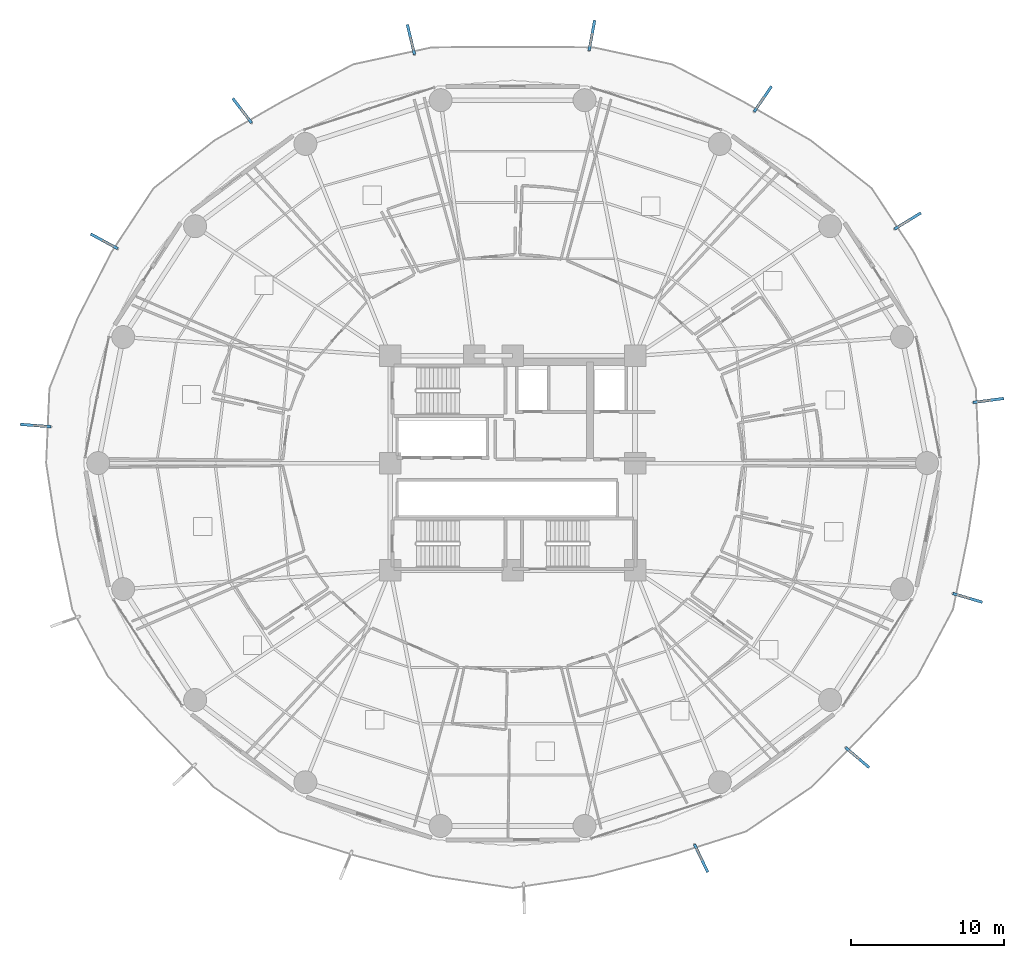
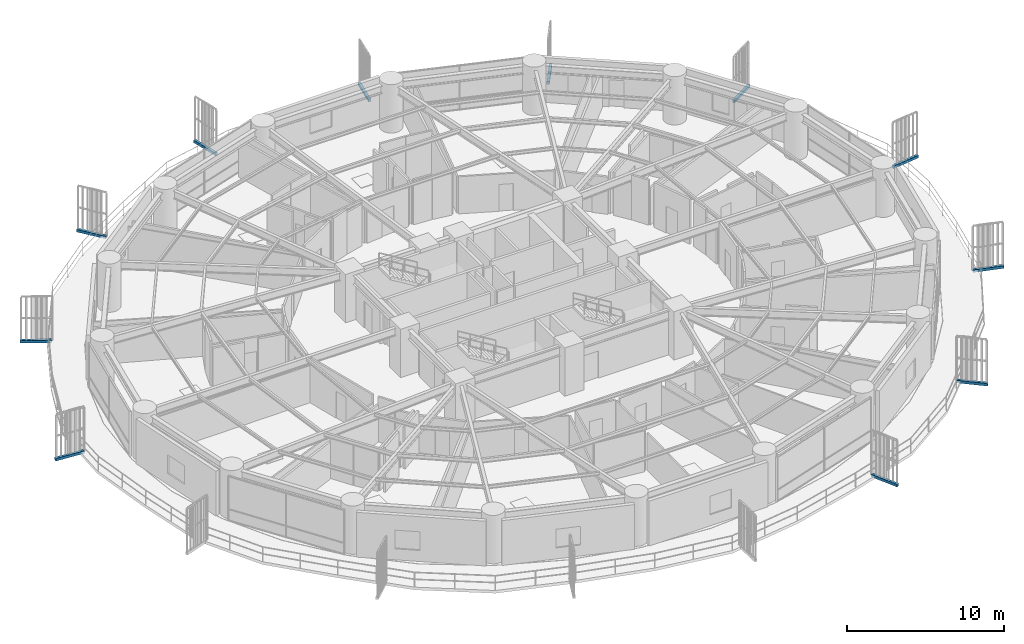
# One storey, part 29 of 34: 11 discrete accessories.
"""IFC4 building model written with IfcOpenShell, lengths in metres."""

from ifc_helpers import new_model, si_unit, direction, frame, origin, origin_2d, place, context, subcontext, project, spatial, rectangle, extrude, source, transform, mapped, material, type_object, element, save


model = new_model("IFC4")

# Units and contexts
model_context = context("Model", 3, precision=1e-05, world=origin(), true_north=direction((0.0, 1.0)))
body_context = subcontext(model_context, "Body", "Model", "MODEL_VIEW")
ifc_project = project(units=[si_unit("LENGTHUNIT", "METRE"), si_unit("AREAUNIT", "SQUARE_METRE"), si_unit("VOLUMEUNIT", "CUBIC_METRE"), si_unit("PLANEANGLEUNIT", "RADIAN"), si_unit("MASSUNIT", "GRAM", prefix="KILO")], contexts=[model_context])

# Site, building, storey
site_placement = place(None, origin())
site = spatial("IfcSite", under=ifc_project, at=site_placement, CompositionType="ELEMENT")
building_placement = place(site_placement, origin())
building = spatial("IfcBuilding", under=site, at=building_placement, Name="Kelanora Arch Commons", CompositionType="ELEMENT")
storey_placement = place(building_placement, frame((0.0, 0.0, 30.0)))
storey = spatial("IfcBuildingStorey", under=building, at=storey_placement, Name="L07", CompositionType="ELEMENT", Elevation=30.0)

# Discrete accessories
ifc_material = material(Name="Stainless steel 316 marine fin bracket", Category="steel")
discrete_accessory_type = type_object("IfcDiscreteAccessoryType", Name="ACC-FIN-BRK", PredefinedType="BRACKET", material=ifc_material)
shared_shape = source(origin(), body_context, "Body", "SweptSolid", [
    extrude(rectangle(XDim=2.014892578125, YDim=0.179931640625, at=origin_2d()), origin(), (0.0, 0.0, 1.0), 0.199951171875),
])
for number, where, z_axis, x_axis, name in (
    (1, (105.090087890625, 62.092529296875, -0.16015625), (0.0, 0.0, 1.0), (0.991444861374, 0.13052619222, 0.0), "Sweeping Fin Cantilever Spine Bracket L07-00"),
    (2, (99.813720703125, 73.818115234375, -0.16015625), (0.0, 0.0, 1.0), (0.852640164354, 0.522498564716, 0.0), "Sweeping Fin Cantilever Spine Bracket L07-01"),
    (3, (90.350830078125, 81.78955078125, -0.16015625), (0.0, 0.0, 1.0), (0.566406236925, 0.824126188622, 0.0), "Sweeping Fin Cantilever Spine Bracket L07-02"),
    (4, (79.179931640625, 85.945556640625, -0.16015625), (0.0, 0.0, 1.0), (0.182235525492, 0.983254907564, 0.0), "Sweeping Fin Cantilever Spine Bracket L07-03"),
    (5, (67.355712890625, 85.677001953125, -0.16015625), (0.0, 0.0, 1.0), (-0.233445363856, 0.972369920398, 0.0), "Sweeping Fin Cantilever Spine Bracket L07-04"),
    (6, (56.33056640625, 81.028076171875, -0.16015625), (0.0, 0.0, 1.0), (-0.608761429009, 0.793353340291, 0.0), "Sweeping Fin Cantilever Spine Bracket L07-05"),
    (7, (47.314208984375, 72.489990234375, -0.16015625), (0.0, 0.0, 1.0), (-0.878817112662, 0.47715876026, 0.0), "Sweeping Fin Cantilever Spine Bracket L07-06"),
    (8, (42.83544921875, 60.453369140625, -0.16015625), (0.0, 0.0, 1.0), (-0.996917333733, 0.078459095728, 0.0), "Sweeping Fin Cantilever Spine Bracket L07-07"),
    (9, (86.316650390625, 32.17626953125, -0.16015625), (0.0, 0.0, 1.0), (0.430511096808, -0.90258528435, 0.0), "Sweeping Fin Cantilever Spine Bracket L07-12"),
    (10, (96.52783203125, 38.7587890625, -0.16015625), (0.0, 0.0, 1.0), (0.7604059656, -0.64944804833, 0.0), "Sweeping Fin Cantilever Spine Bracket L07-13"),
    (11, (103.73193359375, 49.1923828125, -0.16015625), (0.0, 0.0, 1.0), (0.958819734868, -0.284015344704, 0.0), "Sweeping Fin Cantilever Spine Bracket L07-14"),
):
    element("IfcDiscreteAccessory", number, at=place(storey_placement, frame(where, z_axis=z_axis, x_axis=x_axis)), inside=storey, type_object=discrete_accessory_type, Name=name, PredefinedType="BRACKET", context=body_context, shape_type="MappedRepresentation", body=[
        mapped(shared_shape, transform((0.0, 0.0, 0.0), scale=1.0)),
    ])

save(model, "model.ifc")
